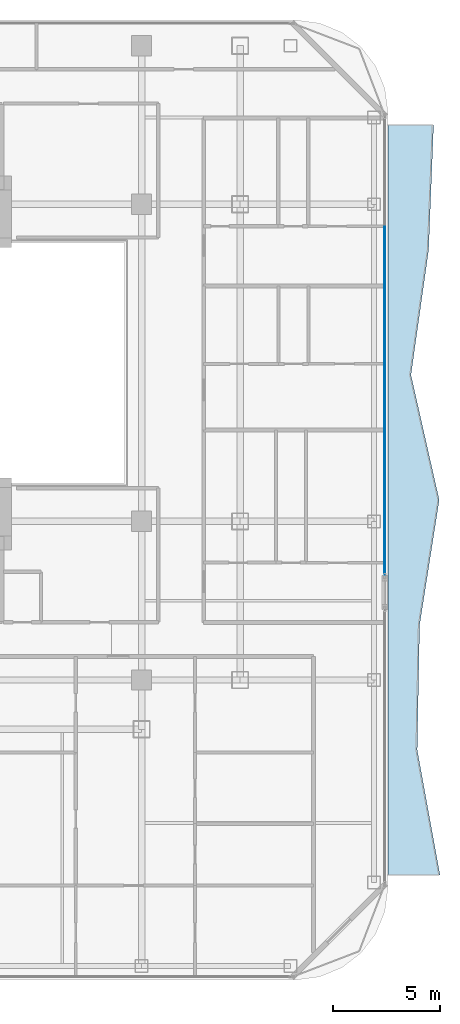
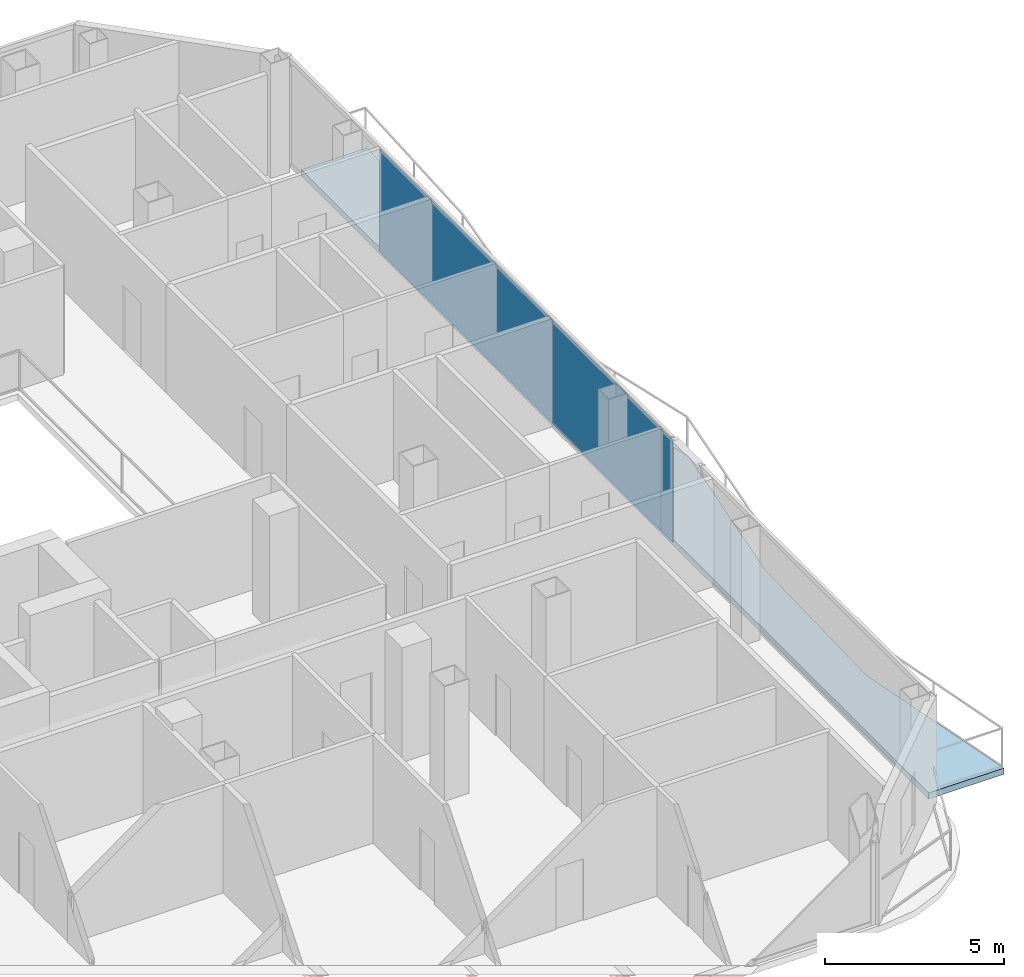
# One storey, part 19 of 27: 3 plates, 1 slab, 1 element without a shape of its own.
"""IFC4 building model written with IfcOpenShell, lengths in metres."""

from ifc_helpers import new_model, si_unit, direction, frame, origin, origin_2d, place, context, subcontext, project, spatial, polyline, rectangle, outline, extrude, material, layer, layer_set, type_object, element, aggregate, save


model = new_model("IFC4")

# Units and contexts
model_context = context("Model", 3, precision=1e-05, world=origin(), true_north=direction((0.0, 1.0)))
body_context = subcontext(model_context, "Body", "Model", "MODEL_VIEW")
ifc_project = project(units=[si_unit("LENGTHUNIT", "METRE"), si_unit("AREAUNIT", "SQUARE_METRE"), si_unit("VOLUMEUNIT", "CUBIC_METRE"), si_unit("PLANEANGLEUNIT", "RADIAN"), si_unit("MASSUNIT", "GRAM", prefix="KILO")], contexts=[model_context])

# Site, building, storey
site_placement = place(None, origin())
site = spatial("IfcSite", under=ifc_project, at=site_placement, CompositionType="ELEMENT")
building_placement = place(site_placement, origin())
building = spatial("IfcBuilding", under=site, at=building_placement, Name="Khorvyn Point Tower", CompositionType="ELEMENT")
storey_placement = place(building_placement, frame((0.0, 0.0, 243.0)))
storey = spatial("IfcBuildingStorey", under=building, at=storey_placement, Name="L59", CompositionType="ELEMENT", Elevation=243.0)

# Slab
ifc_material_1 = material(Name="Concrete C40/50", Category="concrete")
ifc_layer_1 = layer(ifc_material_1, 0.2099609375)
ifc_layer_set_1 = layer_set([ifc_layer_1], Name="Concrete C40/50 Rippling Balcony Slab 210")
slab_type = type_object("IfcSlabType", Name="Concrete C40/50 Rippling Balcony Slab 210", PredefinedType="USERDEFINED", material=ifc_layer_set_1)
slab_placement = place(storey_placement, frame((0.0, 0.0, -0.2099609375)))
element("IfcSlab", 1, at=slab_placement, inside=storey, type_object=slab_type, Name="L59 East Sinusoidal Rippling Balcony", ObjectType="BALCONY", PredefinedType="USERDEFINED", context=body_context, shape_type="SweptSolid", body=[
    extrude(outline(polyline([(26.300048828125, -23.89990234375), (28.726806640625, -23.89990234375), (27.6630859375, -18.066650390625), (27.775390625, -12.2333984375), (28.69091796875, -6.39990234375), (27.37158203125, -0.566650390625), (28.196044921875, 5.2666015625), (28.427978515625, 11.10009765625), (26.300048828125, 11.10009765625), (26.300048828125, -23.89990234375)])), origin(), (0.0, 0.0, 1.0), 0.2099609375),
])

# Curtain wall, plates
ifc_material_2 = material(Name="Anodised aluminium 6063-T6 and laminated Low-E glass", Category="aluminium")
ifc_layer_2 = layer(ifc_material_2, 0.18994140625)
ifc_layer_set_2 = layer_set([ifc_layer_2], Name="Stick-Built Acoustic Curtain Wall CW-SYS-03")
curtain_wall_type = type_object("IfcCurtainWallType", Name="Stick-Built Acoustic Curtain Wall CW-SYS-03", PredefinedType="NOTDEFINED", material=ifc_layer_set_2)
curtain_wall_placement = place(storey_placement, origin())
curtain_wall = element("IfcCurtainWall", 2, at=curtain_wall_placement, inside=storey, type_object=curtain_wall_type, Name="Curtain Wall", PredefinedType="NOTDEFINED")
ifc_material_3 = material(Name="Laminated Low-E insulated glass", Category="glass")
ifc_layer_3 = layer(ifc_material_3, 0.028076171875)
ifc_layer_set_3 = layer_set([ifc_layer_3], Name="Tempered Low-E Vision Glazing Panel CW-GL28")
plate_type = type_object("IfcPlateType", Name="Tempered Low-E Vision Glazing Panel CW-GL28", PredefinedType="CURTAIN_PANEL", material=ifc_layer_set_3)
plate_1_placement = place(storey_placement, frame((26.14990234375, -9.580078125, 0.10009765625), z_axis=(0.0, 0.0, 1.0), x_axis=(0.0, -1.0, 0.0)))
plate_1 = element("IfcPlate", 3, at=plate_1_placement, type_object=plate_type, Name="Panel", PredefinedType="CURTAIN_PANEL", context=body_context, shape_type="SweptSolid", body=[
    extrude(rectangle(XDim=0.632080078125, YDim=0.028076171875, at=origin_2d()), origin(), (0.0, 0.0, 1.0), 3.47998046875),
])
plate_2_placement = place(storey_placement, frame((26.14990234375, -6.22998046875, 0.10009765625), z_axis=(0.0, 0.0, 1.0), x_axis=(0.0, -1.0, 0.0)))
plate_2 = element("IfcPlate", 4, at=plate_2_placement, type_object=plate_type, Name="Panel", PredefinedType="CURTAIN_PANEL", context=body_context, shape_type="SweptSolid", body=[
    extrude(rectangle(XDim=6.052001953125, YDim=0.028076171875, at=origin_2d()), origin(), (0.0, 0.0, 1.0), 3.47998046875),
])
plate_3_placement = place(storey_placement, frame((26.14990234375, 1.6201171875, 0.10009765625), z_axis=(0.0, 0.0, 1.0), x_axis=(0.0, -1.0, 0.0)))
plate_3 = element("IfcPlate", 5, at=plate_3_placement, type_object=plate_type, Name="Panel", PredefinedType="CURTAIN_PANEL", context=body_context, shape_type="SweptSolid", body=[
    extrude(rectangle(XDim=9.632080078125, YDim=0.028076171875, at=origin_2d()), origin(), (0.0, 0.0, 1.0), 3.47998046875),
])
aggregate(curtain_wall, [plate_1, plate_2, plate_3])

save(model, "model.ifc")
